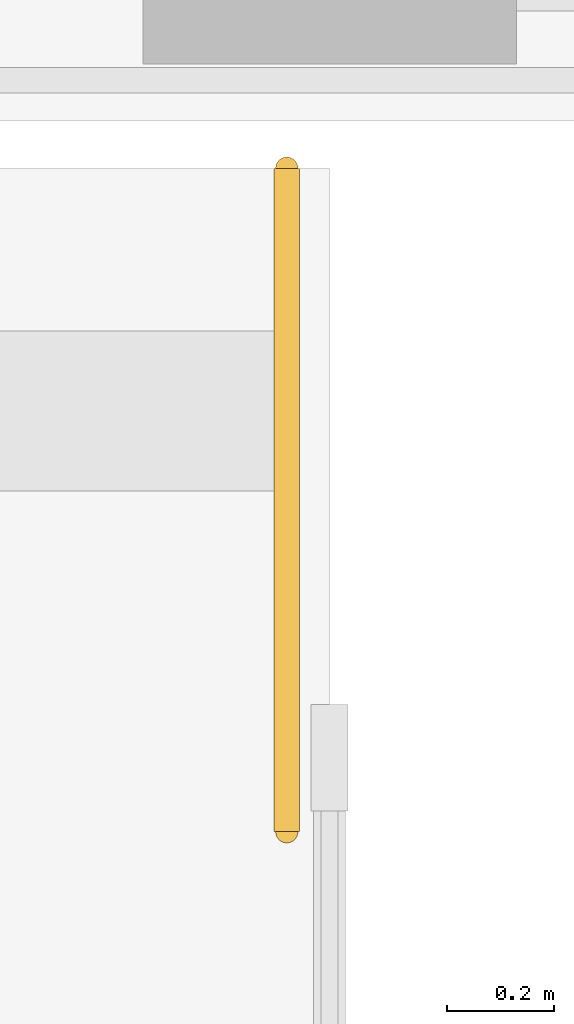
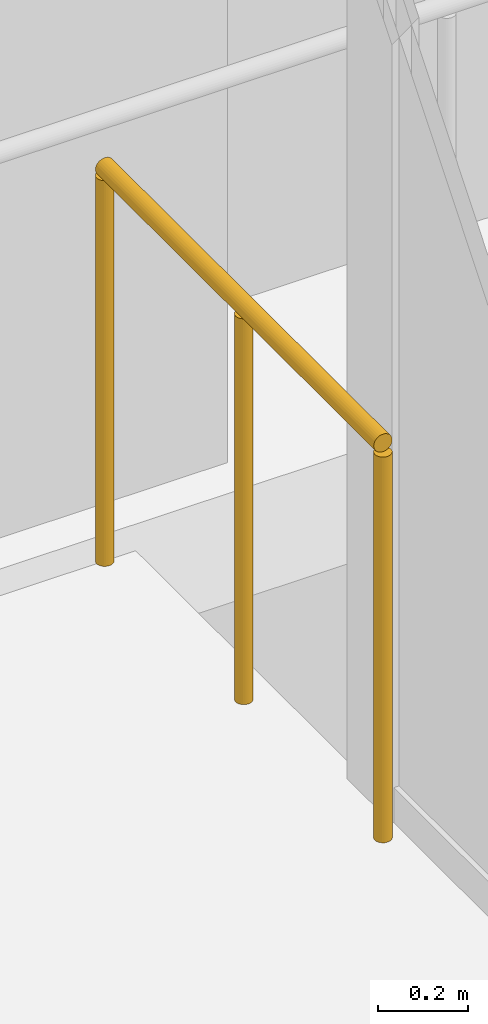
# One storey, part 126 of 142: 1 railing.
"""IFC4 building model written with IfcOpenShell, lengths in metres."""

from ifc_helpers import new_model, si_unit, direction, frame, origin, origin_2d, place, context, subcontext, project, spatial, circle, extrude, material, type_object, element, save


model = new_model("IFC4")

# Units and contexts
model_context = context("Model", 3, precision=1e-05, world=origin(), true_north=direction((0.0, 1.0)))
body_context = subcontext(model_context, "Body", "Model", "MODEL_VIEW")
ifc_project = project(units=[si_unit("LENGTHUNIT", "METRE"), si_unit("AREAUNIT", "SQUARE_METRE"), si_unit("VOLUMEUNIT", "CUBIC_METRE"), si_unit("PLANEANGLEUNIT", "RADIAN"), si_unit("MASSUNIT", "GRAM", prefix="KILO")], contexts=[model_context])

# Site, building, storey
site_placement = place(None, origin())
site = spatial("IfcSite", under=ifc_project, at=site_placement, CompositionType="ELEMENT")
building_placement = place(site_placement, origin())
building = spatial("IfcBuilding", under=site, at=building_placement, Name="Koshinbarg Plaza Stadium", CompositionType="ELEMENT")
storey_placement = place(building_placement, frame((0.0, 0.0, 10.199951171875)))
storey = spatial("IfcBuildingStorey", under=building, at=storey_placement, Name="L02", CompositionType="ELEMENT", Elevation=10.199951171875)

# Railing
ifc_material = material(Name="Toughened laminated glass and stainless steel sightline balustrade", Category="steel")
railing_type = type_object("IfcRailingType", Name="RL-BOWL-1100", PredefinedType="BALUSTRADE", material=ifc_material)
railing_placement = place(storey_placement, frame((63.52001953125, 126.955078125, 0.0)))
element("IfcRailing", 1, at=railing_placement, inside=storey, type_object=railing_type, Name="L02 deck edge safety balustrade 0126", PredefinedType="BALUSTRADE", context=body_context, shape_type="SweptSolid", body=[
    extrude(circle(Radius=0.02392578125, at=origin_2d()), frame((0.0, 0.0, 1.076171875), z_axis=(0.0, -1.0, 0.0), x_axis=(1.0, 0.0, 0.0)), (0.0, 0.0, 1.0), 1.243408203125),
    extrude(circle(Radius=0.02099609375, at=origin_2d()), origin(), (0.0, 0.0, 1.0), 1.052001953125),
    extrude(circle(Radius=0.02099609375, at=origin_2d()), frame((0.0, -0.62158203125, 0.0)), (0.0, 0.0, 1.0), 1.052001953125),
    extrude(circle(Radius=0.02099609375, at=origin_2d()), frame((0.0, -1.243408203125, 0.0)), (0.0, 0.0, 1.0), 1.052001953125),
])

save(model, "model.ifc")
